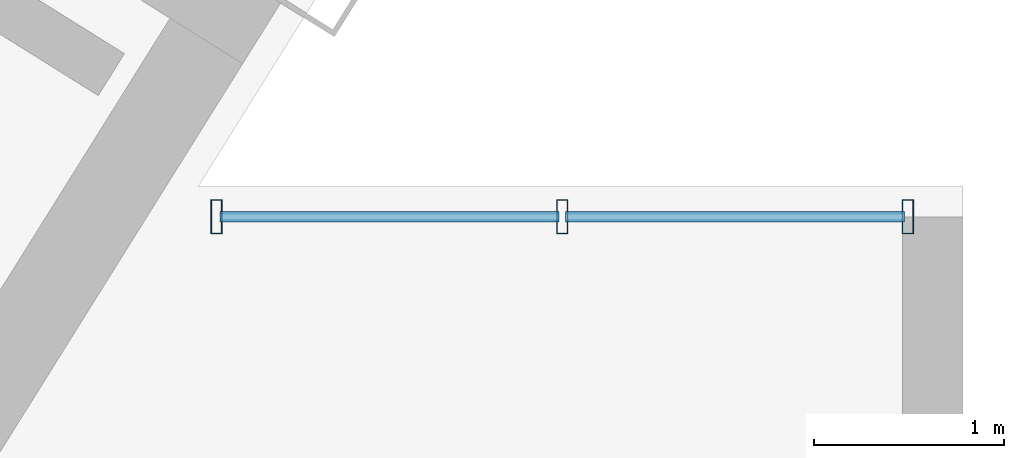
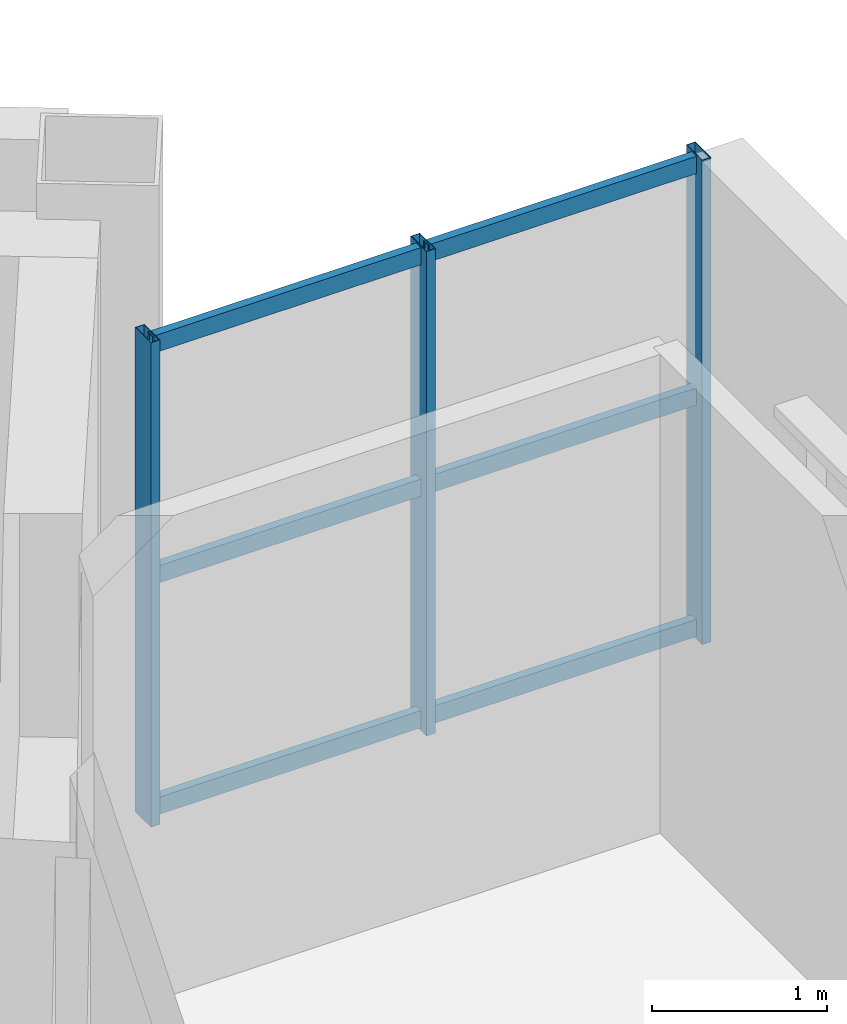
# One storey, part 5 of 12: 9 members, 1 element without a shape of its own.
"""IFC4 building model written with IfcOpenShell, lengths in metres."""

from ifc_helpers import new_model, si_unit, direction, frame, origin, origin_2d, place, context, subcontext, project, spatial, hollow_rectangle, extrude, source, transform, mapped, material, material_profile, profile_set, type_object, element, aggregate, save


model = new_model("IFC4")

# Units and contexts
model_context = context("Model", 3, precision=1e-05, world=origin(), true_north=direction((0.0, 1.0)))
body_context = subcontext(model_context, "Body", "Model", "MODEL_VIEW")
ifc_project = project(units=[si_unit("LENGTHUNIT", "METRE"), si_unit("AREAUNIT", "SQUARE_METRE"), si_unit("VOLUMEUNIT", "CUBIC_METRE"), si_unit("PLANEANGLEUNIT", "RADIAN"), si_unit("MASSUNIT", "GRAM", prefix="KILO")], contexts=[model_context])

# Site, building, storey
site_placement = place(None, origin())
site = spatial("IfcSite", under=ifc_project, at=site_placement, CompositionType="ELEMENT")
building_placement = place(site_placement, origin())
building = spatial("IfcBuilding", under=site, at=building_placement, Name="Tlacorven Tower", CompositionType="ELEMENT")
storey_placement = place(building_placement, frame((0.0, 0.0, 288.0)))
storey = spatial("IfcBuildingStorey", under=building, at=storey_placement, Name="L73", CompositionType="ELEMENT", Elevation=288.0)

# Curtain wall, members
ifc_material_1 = material(Name="Dark solar low-E double glazing in aluminium frame", Category="aluminium")
curtain_wall_type = type_object("IfcCurtainWallType", Name="CW-TWR-HIGH", PredefinedType="USERDEFINED", material=ifc_material_1)
curtain_wall_placement = place(storey_placement, origin())
curtain_wall = element("IfcCurtainWall", 1, at=curtain_wall_placement, inside=storey, type_object=curtain_wall_type, Name="L73 CW-TWR-HIGH Curtain Wall 343", ObjectType="UNITISED CURTAIN WALL", PredefinedType="USERDEFINED")
ifc_material_2 = material(Name="Aluminium 6063-T6 anodised", Category="aluminium")
ifc_material_profile_1 = material_profile(ifc_material_2, hollow_rectangle(XDim=0.06005859375, YDim=0.179931640625, WallThickness=0.00390625, at=origin_2d()), Name="ALU MULLION 60X180")
ifc_profile_set_1 = profile_set([ifc_material_profile_1], Name="Aluminium 6063-T6 anodised")
member_type_1 = type_object("IfcMemberType", Name="CWM-03", PredefinedType="MULLION", material=ifc_profile_set_1)
shared_shape_1 = source(origin(), body_context, "Body", "SweptSolid", [
    extrude(hollow_rectangle(XDim=0.06005859375, YDim=0.179931640625, WallThickness=0.00390625, at=origin_2d()), origin(), (0.0, 0.0, 1.0), 3.380126953125),
])
member_1_placement = place(storey_placement, frame((40.27392578125, 23.0400390625, -0.02001953125), z_axis=(0.0, 0.0, 1.0), x_axis=(1.0, 0.0, 0.0)))
member_1 = element("IfcMember", 2, at=member_1_placement, type_object=member_type_1, Name="CW-L73-343 Mullion 1", PredefinedType="MULLION", context=body_context, shape_type="MappedRepresentation", body=[
    mapped(shared_shape_1, transform((0.0, 0.0, 0.0), scale=1.0)),
])
member_2_placement = place(storey_placement, frame((42.092041015625, 23.0400390625, -0.02001953125), z_axis=(0.0, 0.0, 1.0), x_axis=(1.0, 0.0, 0.0)))
member_2 = element("IfcMember", 3, at=member_2_placement, type_object=member_type_1, Name="CW-L73-343 Mullion 2", PredefinedType="MULLION", context=body_context, shape_type="MappedRepresentation", body=[
    mapped(shared_shape_1, transform((0.0, 0.0, 0.0), scale=1.0)),
])
member_3_placement = place(storey_placement, frame((43.909912109375, 23.0400390625, -0.02001953125), z_axis=(0.0, 0.0, 1.0), x_axis=(1.0, 0.0, 0.0)))
member_3 = element("IfcMember", 4, at=member_3_placement, type_object=member_type_1, Name="CW-L73-343 Mullion 3", PredefinedType="MULLION", context=body_context, shape_type="MappedRepresentation", body=[
    mapped(shared_shape_1, transform((0.0, 0.0, 0.0), scale=1.0)),
])
ifc_material_profile_2 = material_profile(ifc_material_2, hollow_rectangle(XDim=0.054931640625, YDim=0.1201171875, WallThickness=0.00341796875, at=origin_2d()), Name="ALU TRANSOM 55X120")
ifc_profile_set_2 = profile_set([ifc_material_profile_2], Name="Aluminium 6063-T6 anodised")
member_type_2 = type_object("IfcMemberType", Name="CWT-03", PredefinedType="USERDEFINED", material=ifc_profile_set_2)
shared_shape_2 = source(origin(), body_context, "Body", "SweptSolid", [
    extrude(hollow_rectangle(XDim=0.054931640625, YDim=0.1201171875, WallThickness=0.00341796875, at=origin_2d()), origin(), (0.0, 0.0, 1.0), 1.781982421875),
])
member_4_placement = place(storey_placement, frame((40.2919921875, 23.0400390625, 0.06005859375), z_axis=(1.0, 0.0, 0.0), x_axis=(0.0, 1.0, 0.0)))
member_4 = element("IfcMember", 5, at=member_4_placement, type_object=member_type_2, Name="CW-L73-343 Transom 1", ObjectType="TRANSOM", PredefinedType="USERDEFINED", context=body_context, shape_type="MappedRepresentation", body=[
    mapped(shared_shape_2, transform((0.0, 0.0, 0.0), scale=1.0)),
])
member_5_placement = place(storey_placement, frame((40.2919921875, 23.0400390625, 1.675048828125), z_axis=(1.0, 0.0, 0.0), x_axis=(0.0, 1.0, 0.0)))
member_5 = element("IfcMember", 6, at=member_5_placement, type_object=member_type_2, Name="CW-L73-343 Transom 2", ObjectType="TRANSOM", PredefinedType="USERDEFINED", context=body_context, shape_type="MappedRepresentation", body=[
    mapped(shared_shape_2, transform((0.0, 0.0, 0.0), scale=1.0)),
])
member_6_placement = place(storey_placement, frame((40.2919921875, 23.0400390625, 3.2900390625), z_axis=(1.0, 0.0, 0.0), x_axis=(0.0, 1.0, 0.0)))
member_6 = element("IfcMember", 7, at=member_6_placement, type_object=member_type_2, Name="CW-L73-343 Transom 3", ObjectType="TRANSOM", PredefinedType="USERDEFINED", context=body_context, shape_type="MappedRepresentation", body=[
    mapped(shared_shape_2, transform((0.0, 0.0, 0.0), scale=1.0)),
])
shared_shape_3 = source(origin(), body_context, "Body", "SweptSolid", [
    extrude(hollow_rectangle(XDim=0.054931640625, YDim=0.1201171875, WallThickness=0.00341796875, at=origin_2d()), origin(), (0.0, 0.0, 1.0), 1.7822265625),
])
member_7_placement = place(storey_placement, frame((42.10986328125, 23.0400390625, 0.06005859375), z_axis=(1.0, 0.0, 0.0), x_axis=(0.0, 1.0, 0.0)))
member_7 = element("IfcMember", 8, at=member_7_placement, type_object=member_type_2, Name="CW-L73-343 Transom 4", ObjectType="TRANSOM", PredefinedType="USERDEFINED", context=body_context, shape_type="MappedRepresentation", body=[
    mapped(shared_shape_3, transform((0.0, 0.0, 0.0), scale=1.0)),
])
member_8_placement = place(storey_placement, frame((42.10986328125, 23.0400390625, 1.675048828125), z_axis=(1.0, 0.0, 0.0), x_axis=(0.0, 1.0, 0.0)))
member_8 = element("IfcMember", 9, at=member_8_placement, type_object=member_type_2, Name="CW-L73-343 Transom 5", ObjectType="TRANSOM", PredefinedType="USERDEFINED", context=body_context, shape_type="MappedRepresentation", body=[
    mapped(shared_shape_3, transform((0.0, 0.0, 0.0), scale=1.0)),
])
member_9_placement = place(storey_placement, frame((42.10986328125, 23.0400390625, 3.2900390625), z_axis=(1.0, 0.0, 0.0), x_axis=(0.0, 1.0, 0.0)))
member_9 = element("IfcMember", 10, at=member_9_placement, type_object=member_type_2, Name="CW-L73-343 Transom 6", ObjectType="TRANSOM", PredefinedType="USERDEFINED", context=body_context, shape_type="MappedRepresentation", body=[
    mapped(shared_shape_3, transform((0.0, 0.0, 0.0), scale=1.0)),
])
aggregate(curtain_wall, [member_1, member_2, member_3, member_4, member_5, member_6, member_7, member_8, member_9])

save(model, "model.ifc")
